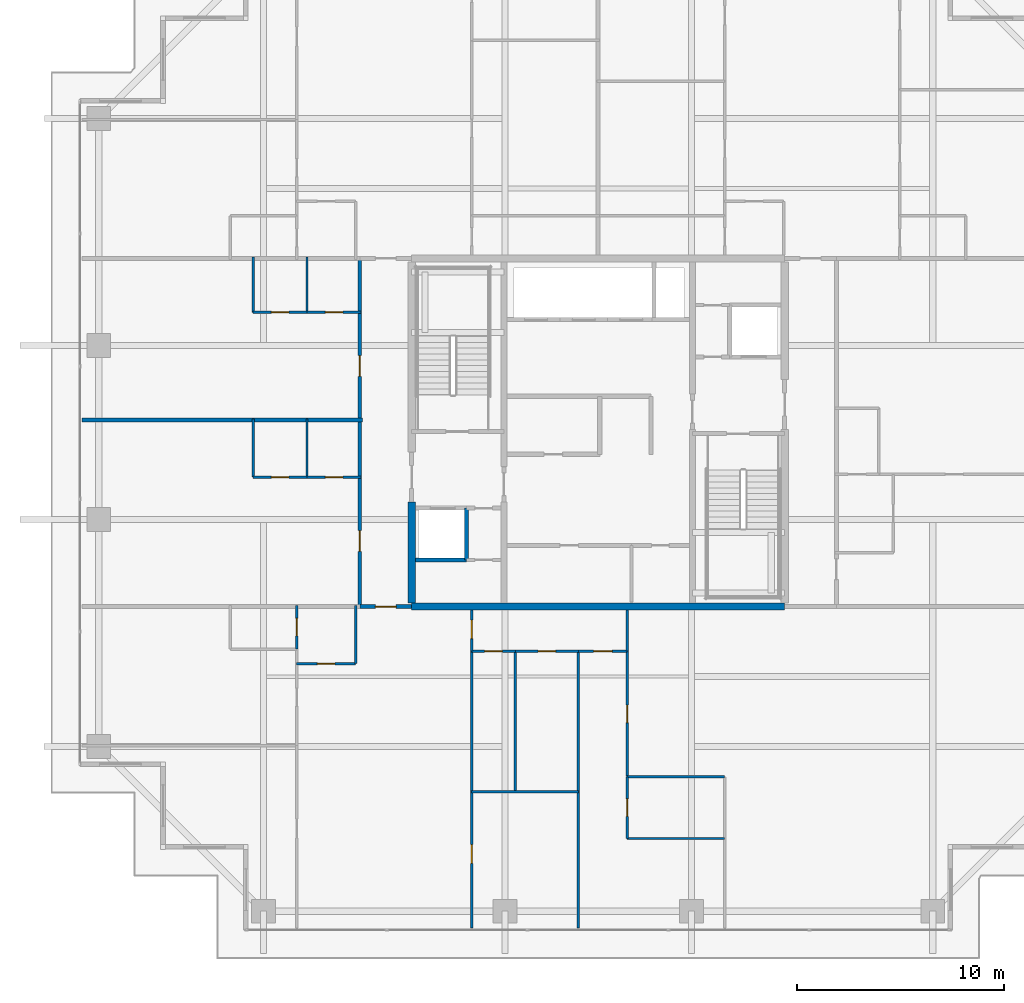
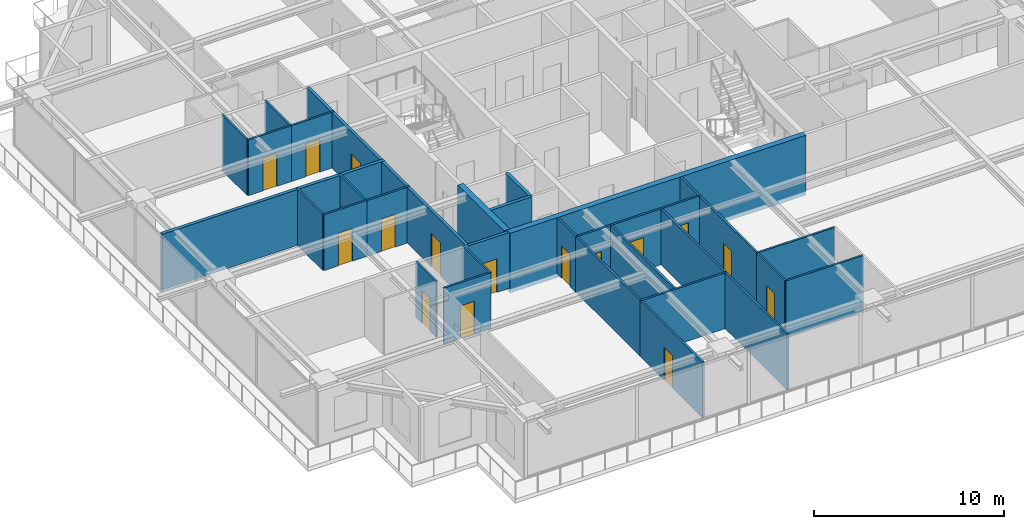
# One storey, part 26 of 37: 32 walls, 16 doors, 16 openings.
"""IFC4 building model written with IfcOpenShell, lengths in metres."""

from ifc_helpers import new_model, si_unit, direction, frame, frame_2d, origin, place, context, subcontext, project, spatial, rectangle, extrude, source, transform, mapped, material, layer, layer_set, type_object, element, fill, save


model = new_model("IFC4")

# Units and contexts
model_context = context("Model", 3, precision=1e-05, world=origin(), true_north=direction((0.0, 1.0)))
body_context = subcontext(model_context, "Body", "Model", "MODEL_VIEW")
ifc_project = project(units=[si_unit("LENGTHUNIT", "METRE"), si_unit("AREAUNIT", "SQUARE_METRE"), si_unit("VOLUMEUNIT", "CUBIC_METRE"), si_unit("PLANEANGLEUNIT", "RADIAN"), si_unit("MASSUNIT", "GRAM", prefix="KILO")], contexts=[model_context])

# Site, building, storey
site_placement = place(None, origin())
site = spatial("IfcSite", under=ifc_project, at=site_placement, CompositionType="ELEMENT")
building_placement = place(site_placement, origin())
building = spatial("IfcBuilding", under=site, at=building_placement, Name="Serunith Strait Residences", CompositionType="ELEMENT")
storey_placement = place(building_placement, frame((0.0, 0.0, 233.550048828125)))
storey = spatial("IfcBuildingStorey", under=building, at=storey_placement, Name="L58", CompositionType="ELEMENT", Elevation=233.550048828125)

# Wall, opening, door
ifc_material_1 = material(Name="Fire-rated acoustic gypsum partition")
ifc_layer_1 = layer(ifc_material_1, 0.179931640625, Name="Fire-rated acoustic gypsum partition")
ifc_layer_set_1 = layer_set([ifc_layer_1], Name="Fire-rated acoustic gypsum partition")
wall_type_1 = type_object("IfcWallType", Name="IW-CORR-180", PredefinedType="PARTITIONING", material=ifc_layer_set_1)
wall_1_placement = place(storey_placement, frame((20.902099609375, 16.800048828125, 0.0), z_axis=(0.0, 0.0, 1.0), x_axis=(1.0, 0.0, 0.0)))
wall_1 = element("IfcWall", 1, at=wall_1_placement, inside=storey, type_object=wall_type_1, Name="L58 Partition Wall 026", PredefinedType="PARTITIONING", context=body_context, shape_type="SweptSolid", body=[
    extrude(rectangle(XDim=2.495849609375, YDim=0.179931640625, at=frame_2d((1.248046875, 0.0))), origin(), (0.0, 0.0, 1.0), 3.58984375),
])
opening_1_placement = place(wall_1_placement, frame((0.748046875, 0.0, 0.0)))
opening_1 = element("IfcOpeningElement", 2, at=opening_1_placement, cuts=wall_1, Name="Opening D-APT1000", PredefinedType="OPENING", context=body_context, shape_type="SweptSolid", body=[
    extrude(rectangle(XDim=1.0, YDim=2.14990234375, at=frame_2d((0.5, 1.074951171875))), frame((0.0, 0.10009765625, 0.0), z_axis=(0.0, -1.0, 0.0), x_axis=(1.0, 0.0, 0.0)), (0.0, 0.0, 1.0), 0.199951171875),
])
ifc_material_2 = material(Name="Solid timber engineered fire door", Category="wood")
door_type_1 = type_object("IfcDoorType", Name="ID-APT-1000", OperationType="NOTDEFINED", PredefinedType="DOOR", material=ifc_material_2)
shared_shape_1 = source(origin(), body_context, "Body", "SweptSolid", [
    extrude(rectangle(XDim=1.0, YDim=2.14990234375, at=frame_2d((0.5, 1.074951171875))), frame((0.0, 0.02490234375, 0.0), z_axis=(0.0, -1.0, 0.0), x_axis=(1.0, 0.0, 0.0)), (0.0, 0.0, 1.0), 0.050048828125),
])
door_1_placement = place(opening_1_placement, origin())
door_1 = element("IfcDoor", 3, at=door_1_placement, inside=storey, type_object=door_type_1, Name="L58 Unit 01 Entrance Door", OperationType="SINGLE_SWING_RIGHT", OverallHeight=2.14990234375, OverallWidth=1.0, PredefinedType="DOOR", context=body_context, shape_type="MappedRepresentation", body=[
    mapped(shared_shape_1, transform((0.0, 0.0, 0.0), scale=1.0)),
])
fill(opening_1, door_1)

# Wall, openings, doors
wall_2_placement = place(storey_placement, frame((20.89990234375, 16.800048828125, 0.0), z_axis=(0.0, 0.0, 1.0), x_axis=(0.0, 1.0, 0.0)))
wall_2 = element("IfcWall", 4, at=wall_2_placement, inside=storey, type_object=wall_type_1, Name="L58 Partition Wall 028", PredefinedType="PARTITIONING", context=body_context, shape_type="SweptSolid", body=[
    extrude(rectangle(XDim=16.800048828125, YDim=0.179931640625, at=frame_2d((8.39990234375, 0.0))), origin(), (0.0, 0.0, 1.0), 3.58984375),
])
opening_2_placement = place(wall_2_placement, frame((2.669921875, 0.0, 0.0)))
opening_2 = element("IfcOpeningElement", 5, at=opening_2_placement, cuts=wall_2, Name="Opening D-APT1000", PredefinedType="OPENING", context=body_context, shape_type="SweptSolid", body=[
    extrude(rectangle(XDim=1.0, YDim=2.14990234375, at=frame_2d((0.5, 1.074951171875))), frame((0.0, 0.10009765625, 0.0), z_axis=(0.0, -1.0, 0.0), x_axis=(1.0, 0.0, 0.0)), (0.0, 0.0, 1.0), 0.199951171875),
])
opening_3_placement = place(wall_2_placement, frame((11.10693359375, 0.0, 0.0)))
opening_3 = element("IfcOpeningElement", 6, at=opening_3_placement, cuts=wall_2, Name="Opening D-APT1000", PredefinedType="OPENING", context=body_context, shape_type="SweptSolid", body=[
    extrude(rectangle(XDim=1.0, YDim=2.14990234375, at=frame_2d((0.5, 1.074951171875))), frame((0.0, 0.10009765625, 0.0), z_axis=(0.0, -1.0, 0.0), x_axis=(1.0, 0.0, 0.0)), (0.0, 0.0, 1.0), 0.199951171875),
])
door_2_placement = place(opening_2_placement, origin())
door_2 = element("IfcDoor", 7, at=door_2_placement, inside=storey, type_object=door_type_1, Name="L58 Unit 04 Entrance Door", OperationType="SINGLE_SWING_RIGHT", OverallHeight=2.14990234375, OverallWidth=1.0, PredefinedType="DOOR", context=body_context, shape_type="MappedRepresentation", body=[
    mapped(shared_shape_1, transform((0.0, 0.0, 0.0), scale=1.0)),
])
fill(opening_2, door_2)
door_3_placement = place(opening_3_placement, origin())
door_3 = element("IfcDoor", 8, at=door_3_placement, inside=storey, type_object=door_type_1, Name="L58 Unit 05 Entrance Door", OperationType="SINGLE_SWING_LEFT", OverallHeight=2.14990234375, OverallWidth=1.0, PredefinedType="DOOR", context=body_context, shape_type="MappedRepresentation", body=[
    mapped(shared_shape_1, transform((0.0, 0.0, 0.0), scale=1.0)),
])
fill(opening_3, door_3)

# Wall, opening, door
ifc_material_3 = material(Name="Lightweight steel-stud gypsum partition", Category="steel")
ifc_layer_2 = layer(ifc_material_3, 0.1201171875, Name="Lightweight steel-stud gypsum partition")
ifc_layer_set_2 = layer_set([ifc_layer_2], Name="Lightweight steel-stud gypsum partition")
wall_type_2 = type_object("IfcWallType", Name="IW-PART-120", PredefinedType="PARTITIONING", material=ifc_layer_set_2)
wall_3_placement = place(storey_placement, frame((17.85009765625, 14.050048828125, 0.0), z_axis=(0.0, 0.0, 1.0), x_axis=(1.0, 0.0, 0.0)))
wall_3 = element("IfcWall", 9, at=wall_3_placement, inside=storey, type_object=wall_type_2, Name="L58 Partition Wall 032", PredefinedType="PARTITIONING", context=body_context, shape_type="SweptSolid", body=[
    extrude(rectangle(XDim=2.849853515625, YDim=0.1201171875, at=frame_2d((1.4248046875, 0.0))), origin(), (0.0, 0.0, 1.0), 3.58984375),
])
opening_4_placement = place(wall_3_placement, frame((1.0, 0.0, 0.0)))
opening_4 = element("IfcOpeningElement", 10, at=opening_4_placement, cuts=wall_3, Name="Opening D-RM850", PredefinedType="OPENING", context=body_context, shape_type="SweptSolid", body=[
    extrude(rectangle(XDim=0.85009765625, YDim=2.10009765625, at=frame_2d((0.425048828125, 1.050048828125))), frame((0.0, 0.070068359375, 0.0), z_axis=(0.0, -1.0, 0.0), x_axis=(1.0, 0.0, 0.0)), (0.0, 0.0, 1.0), 0.14013671875),
])
ifc_material_4 = material(Name="Engineered timber flush study and kitchen door", Category="wood")
door_type_2 = type_object("IfcDoorType", Name="ID-ROOM-850", OperationType="NOTDEFINED", PredefinedType="DOOR", material=ifc_material_4)
shared_shape_2 = source(origin(), body_context, "Body", "SweptSolid", [
    extrude(rectangle(XDim=0.85009765625, YDim=2.10009765625, at=frame_2d((0.425048828125, 1.050048828125))), frame((0.0, 0.02490234375, 0.0), z_axis=(0.0, -1.0, 0.0), x_axis=(1.0, 0.0, 0.0)), (0.0, 0.0, 1.0), 0.050048828125),
])
door_4_placement = place(opening_4_placement, origin())
door_4 = element("IfcDoor", 11, at=door_4_placement, inside=storey, type_object=door_type_2, Name="L58 Kitchen 5801 Door", OperationType="SINGLE_SWING_RIGHT", OverallHeight=2.10009765625, OverallWidth=0.85009765625, PredefinedType="DOOR", context=body_context, shape_type="MappedRepresentation", body=[
    mapped(shared_shape_2, transform((0.0, 0.0, 0.0), scale=1.0)),
])
fill(opening_4, door_4)

# Wall
wall_4_placement = place(storey_placement, frame((20.699951171875, 14.050048828125, 0.0), z_axis=(0.0, 0.0, 1.0), x_axis=(0.0, 1.0, 0.0)))
element("IfcWall", 12, at=wall_4_placement, inside=storey, type_object=wall_type_2, Name="L58 Partition Wall 033", PredefinedType="PARTITIONING", context=body_context, shape_type="SweptSolid", body=[
    extrude(rectangle(XDim=2.81005859375, YDim=0.1201171875, at=frame_2d((1.405029296875, 0.0))), origin(), (0.0, 0.0, 1.0), 3.58984375),
])

# Wall, opening, door
wall_5_placement = place(storey_placement, frame((17.85009765625, 14.751953125, 0.0), z_axis=(0.0, 0.0, 1.0), x_axis=(0.0, 1.0, 0.0)))
wall_5 = element("IfcWall", 13, at=wall_5_placement, inside=storey, type_object=wall_type_2, Name="L58 Partition Wall 039", PredefinedType="PARTITIONING", context=body_context, shape_type="SweptSolid", body=[
    extrude(rectangle(XDim=2.108154296875, YDim=0.1201171875, at=frame_2d((1.05419921875, 0.0))), origin(), (0.0, 0.0, 1.0), 3.58984375),
])
opening_5_placement = place(wall_5_placement, frame((0.62890625, 0.0, 0.0)))
opening_5 = element("IfcOpeningElement", 14, at=opening_5_placement, cuts=wall_5, Name="Opening D-BTH850", PredefinedType="OPENING", context=body_context, shape_type="SweptSolid", body=[
    extrude(rectangle(XDim=0.85009765625, YDim=2.10009765625, at=frame_2d((0.425048828125, 1.050048828125))), frame((0.0, 0.070068359375, 0.0), z_axis=(0.0, -1.0, 0.0), x_axis=(1.0, 0.0, 0.0)), (0.0, 0.0, 1.0), 0.14013671875),
])
ifc_material_5 = material(Name="Moisture-resistant timber bathroom door", Category="wood")
door_type_3 = type_object("IfcDoorType", Name="ID-BATH-850", OperationType="NOTDEFINED", PredefinedType="DOOR", material=ifc_material_5)
door_5_placement = place(opening_5_placement, origin())
door_5 = element("IfcDoor", 15, at=door_5_placement, inside=storey, type_object=door_type_3, Name="L58 Bathroom 5801 Door", OperationType="SINGLE_SWING_LEFT", OverallHeight=2.10009765625, OverallWidth=0.85009765625, PredefinedType="DOOR", context=body_context, shape_type="MappedRepresentation", body=[
    mapped(shared_shape_2, transform((0.0, 0.0, 0.0), scale=1.0)),
])
fill(opening_5, door_5)

wall_6_placement = place(storey_placement, frame((26.300048828125, 14.64990234375, 0.0), z_axis=(0.0, 0.0, 1.0), x_axis=(0.0, 1.0, 0.0)))
wall_6 = element("IfcWall", 16, at=wall_6_placement, inside=storey, type_object=wall_type_2, Name="L58 Partition Wall 040", PredefinedType="PARTITIONING", context=body_context, shape_type="SweptSolid", body=[
    extrude(rectangle(XDim=1.97509765625, YDim=0.1201171875, at=frame_2d((0.987548828125, 0.0))), origin(), (0.0, 0.0, 1.0), 3.58984375),
])
opening_6_placement = place(wall_6_placement, frame((0.60107421875, 0.0, 0.0)))
opening_6 = element("IfcOpeningElement", 17, at=opening_6_placement, cuts=wall_6, Name="Opening D-RM900", PredefinedType="OPENING", context=body_context, shape_type="SweptSolid", body=[
    extrude(rectangle(XDim=0.89990234375, YDim=2.10009765625, at=frame_2d((0.449951171875, 1.050048828125))), frame((0.0, 0.070068359375, 0.0), z_axis=(0.0, -1.0, 0.0), x_axis=(1.0, 0.0, 0.0)), (0.0, 0.0, 1.0), 0.14013671875),
])
ifc_material_6 = material(Name="Engineered timber flush bedroom door", Category="wood")
door_type_4 = type_object("IfcDoorType", Name="ID-ROOM-900", OperationType="NOTDEFINED", PredefinedType="DOOR", material=ifc_material_6)
shared_shape_3 = source(origin(), body_context, "Body", "SweptSolid", [
    extrude(rectangle(XDim=0.89990234375, YDim=2.10009765625, at=frame_2d((0.449951171875, 1.050048828125))), frame((0.0, 0.02490234375, 0.0), z_axis=(0.0, -1.0, 0.0), x_axis=(1.0, 0.0, 0.0)), (0.0, 0.0, 1.0), 0.050048828125),
])
door_6_placement = place(opening_6_placement, origin())
door_6 = element("IfcDoor", 18, at=door_6_placement, inside=storey, type_object=door_type_4, Name="L58 Hall E 5801 Door", OperationType="SINGLE_SWING_RIGHT", OverallHeight=2.10009765625, OverallWidth=0.89990234375, PredefinedType="DOOR", context=body_context, shape_type="MappedRepresentation", body=[
    mapped(shared_shape_3, transform((0.0, 0.0, 0.0), scale=1.0)),
])
fill(opening_6, door_6)

wall_7_placement = place(storey_placement, frame((26.300048828125, 1.294921875, 0.0), z_axis=(0.0, 0.0, 1.0), x_axis=(0.0, 1.0, 0.0)))
wall_7 = element("IfcWall", 19, at=wall_7_placement, inside=storey, type_object=wall_type_2, Name="L58 Partition Wall 041", PredefinedType="PARTITIONING", context=body_context, shape_type="SweptSolid", body=[
    extrude(rectangle(XDim=6.565185546875, YDim=0.1201171875, at=frame_2d((3.28271484375, 0.0))), origin(), (0.0, 0.0, 1.0), 3.58984375),
])
opening_7_placement = place(wall_7_placement, frame((3.115966796875, 0.0, 0.0)))
opening_7 = element("IfcOpeningElement", 20, at=opening_7_placement, cuts=wall_7, Name="Opening D-RM900", PredefinedType="OPENING", context=body_context, shape_type="SweptSolid", body=[
    extrude(rectangle(XDim=0.89990234375, YDim=2.10009765625, at=frame_2d((0.449951171875, 1.050048828125))), frame((0.0, 0.070068359375, 0.0), z_axis=(0.0, -1.0, 0.0), x_axis=(1.0, 0.0, 0.0)), (0.0, 0.0, 1.0), 0.14013671875),
])
door_7_placement = place(opening_7_placement, origin())
door_7 = element("IfcDoor", 21, at=door_7_placement, inside=storey, type_object=door_type_4, Name="L58 Formal Dining Room 2 5801 Door", OperationType="SINGLE_SWING_LEFT", OverallHeight=2.10009765625, OverallWidth=0.89990234375, PredefinedType="DOOR", context=body_context, shape_type="MappedRepresentation", body=[
    mapped(shared_shape_3, transform((0.0, 0.0, 0.0), scale=1.0)),
])
fill(opening_7, door_7)

# Walls
wall_8_placement = place(storey_placement, frame((26.300048828125, 7.862060546875, 0.0), z_axis=(0.0, 0.0, 1.0), x_axis=(0.0, 1.0, 0.0)))
element("IfcWall", 22, at=wall_8_placement, inside=storey, type_object=wall_type_2, Name="L58 Partition Wall 042", PredefinedType="PARTITIONING", context=body_context, shape_type="SweptSolid", body=[
    extrude(rectangle(XDim=6.785888671875, YDim=0.1201171875, at=frame_2d((3.39306640625, 0.0))), origin(), (0.0, 0.0, 1.0), 3.58984375),
])
wall_9_placement = place(storey_placement, frame((26.300048828125, 7.860107421875, 0.0), z_axis=(0.0, 0.0, 1.0), x_axis=(1.0, 0.0, 0.0)))
element("IfcWall", 23, at=wall_9_placement, inside=storey, type_object=wall_type_2, Name="L58 Partition Wall 043", PredefinedType="PARTITIONING", context=body_context, shape_type="SweptSolid", body=[
    extrude(rectangle(XDim=5.14990234375, YDim=0.1201171875, at=frame_2d((2.574951171875, 0.0))), origin(), (0.0, 0.0, 1.0), 3.58984375),
])
wall_10_placement = place(storey_placement, frame((31.449951171875, 1.294921875, 0.0), z_axis=(0.0, 0.0, 1.0), x_axis=(0.0, 1.0, 0.0)))
element("IfcWall", 24, at=wall_10_placement, inside=storey, type_object=wall_type_2, Name="L58 Partition Wall 044", PredefinedType="PARTITIONING", context=body_context, shape_type="SweptSolid", body=[
    extrude(rectangle(XDim=13.35498046875, YDim=0.1201171875, at=frame_2d((6.677490234375, 0.0))), origin(), (0.0, 0.0, 1.0), 3.58984375),
])
wall_11_placement = place(storey_placement, frame((28.39990234375, 7.860107421875, 0.0), z_axis=(0.0, 0.0, 1.0), x_axis=(0.0, 1.0, 0.0)))
element("IfcWall", 25, at=wall_11_placement, inside=storey, type_object=wall_type_2, Name="L58 Partition Wall 045", PredefinedType="PARTITIONING", context=body_context, shape_type="SweptSolid", body=[
    extrude(rectangle(XDim=6.789794921875, YDim=0.1201171875, at=frame_2d((3.39501953125, 0.0))), origin(), (0.0, 0.0, 1.0), 3.58984375),
])

# Wall, opening, door
wall_12_placement = place(storey_placement, frame((26.300048828125, 14.64990234375, 0.0), z_axis=(0.0, 0.0, 1.0), x_axis=(1.0, 0.0, 0.0)))
wall_12 = element("IfcWall", 26, at=wall_12_placement, inside=storey, type_object=wall_type_2, Name="L58 Partition Wall 046", PredefinedType="PARTITIONING", context=body_context, shape_type="SweptSolid", body=[
    extrude(rectangle(XDim=2.099853515625, YDim=0.1201171875, at=frame_2d((1.0498046875, 0.0))), origin(), (0.0, 0.0, 1.0), 3.58984375),
])
opening_8_placement = place(wall_12_placement, frame((0.625, 0.0, 0.0)))
opening_8 = element("IfcOpeningElement", 27, at=opening_8_placement, cuts=wall_12, Name="Opening D-RM850", PredefinedType="OPENING", context=body_context, shape_type="SweptSolid", body=[
    extrude(rectangle(XDim=0.85009765625, YDim=2.10009765625, at=frame_2d((0.425048828125, 1.050048828125))), frame((0.0, 0.070068359375, 0.0), z_axis=(0.0, -1.0, 0.0), x_axis=(1.0, 0.0, 0.0)), (0.0, 0.0, 1.0), 0.14013671875),
])
door_8_placement = place(opening_8_placement, origin())
door_8 = element("IfcDoor", 28, at=door_8_placement, inside=storey, type_object=door_type_2, Name="L58 Study 5801 Door", OperationType="SINGLE_SWING_RIGHT", OverallHeight=2.10009765625, OverallWidth=0.85009765625, PredefinedType="DOOR", context=body_context, shape_type="MappedRepresentation", body=[
    mapped(shared_shape_2, transform((0.0, 0.0, 0.0), scale=1.0)),
])
fill(opening_8, door_8)

wall_13_placement = place(storey_placement, frame((28.402099609375, 14.64990234375, 0.0), z_axis=(0.0, 0.0, 1.0), x_axis=(1.0, 0.0, 0.0)))
wall_13 = element("IfcWall", 29, at=wall_13_placement, inside=storey, type_object=wall_type_2, Name="L58 Partition Wall 047", PredefinedType="PARTITIONING", context=body_context, shape_type="SweptSolid", body=[
    extrude(rectangle(XDim=3.0478515625, YDim=0.1201171875, at=frame_2d((1.52392578125, 0.0))), origin(), (0.0, 0.0, 1.0), 3.58984375),
])
opening_9_placement = place(wall_13_placement, frame((1.09912109375, 0.0, 0.0)))
opening_9 = element("IfcOpeningElement", 30, at=opening_9_placement, cuts=wall_13, Name="Opening D-RM850", PredefinedType="OPENING", context=body_context, shape_type="SweptSolid", body=[
    extrude(rectangle(XDim=0.85009765625, YDim=2.10009765625, at=frame_2d((0.425048828125, 1.050048828125))), frame((0.0, 0.070068359375, 0.0), z_axis=(0.0, -1.0, 0.0), x_axis=(1.0, 0.0, 0.0)), (0.0, 0.0, 1.0), 0.14013671875),
])
door_9_placement = place(opening_9_placement, origin())
door_9 = element("IfcDoor", 31, at=door_9_placement, inside=storey, type_object=door_type_2, Name="L58 Formal Dining Room 5801 Door", OperationType="SINGLE_SWING_LEFT", OverallHeight=2.10009765625, OverallWidth=0.85009765625, PredefinedType="DOOR", context=body_context, shape_type="MappedRepresentation", body=[
    mapped(shared_shape_2, transform((0.0, 0.0, 0.0), scale=1.0)),
])
fill(opening_9, door_9)

wall_14_placement = place(storey_placement, frame((31.451904296875, 14.64990234375, 0.0), z_axis=(0.0, 0.0, 1.0), x_axis=(1.0, 0.0, 0.0)))
wall_14 = element("IfcWall", 32, at=wall_14_placement, inside=storey, type_object=wall_type_2, Name="L58 Partition Wall 048", PredefinedType="PARTITIONING", context=body_context, shape_type="SweptSolid", body=[
    extrude(rectangle(XDim=2.34814453125, YDim=0.1201171875, at=frame_2d((1.174072265625, 0.0))), origin(), (0.0, 0.0, 1.0), 3.58984375),
])
opening_10_placement = place(wall_14_placement, frame((0.72412109375, 0.0, 0.0)))
opening_10 = element("IfcOpeningElement", 33, at=opening_10_placement, cuts=wall_14, Name="Opening D-RM900", PredefinedType="OPENING", context=body_context, shape_type="SweptSolid", body=[
    extrude(rectangle(XDim=0.89990234375, YDim=2.10009765625, at=frame_2d((0.449951171875, 1.050048828125))), frame((0.0, 0.070068359375, 0.0), z_axis=(0.0, -1.0, 0.0), x_axis=(1.0, 0.0, 0.0)), (0.0, 0.0, 1.0), 0.14013671875),
])
door_10_placement = place(opening_10_placement, origin())
door_10 = element("IfcDoor", 34, at=door_10_placement, inside=storey, type_object=door_type_4, Name="L58 Master Bedroom E 5801 Door", OperationType="SINGLE_SWING_RIGHT", OverallHeight=2.10009765625, OverallWidth=0.89990234375, PredefinedType="DOOR", context=body_context, shape_type="MappedRepresentation", body=[
    mapped(shared_shape_3, transform((0.0, 0.0, 0.0), scale=1.0)),
])
fill(opening_10, door_10)

# Walls
for number, where, z_axis, x_axis, name in (
    (35, (33.800048828125, 5.60888671875, 0.0), (0.0, 0.0, 1.0), (1.0, 0.0, 0.0), "L58 Partition Wall 049"),
    (36, (33.800048828125, 8.587890625, 0.0), (0.0, 0.0, 1.0), (1.0, 0.0, 0.0), "L58 Partition Wall 051"),
):
    element("IfcWall", number, at=place(storey_placement, frame(where, z_axis=z_axis, x_axis=x_axis)), inside=storey, type_object=wall_type_2, Name=name, PredefinedType="PARTITIONING", context=body_context, shape_type="SweptSolid", body=[
        extrude(rectangle(XDim=4.699951171875, YDim=0.1201171875, at=frame_2d((2.35009765625, 0.0))), origin(), (0.0, 0.0, 1.0), 3.58984375),
    ])

# Wall, opening, door
wall_15_placement = place(storey_placement, frame((33.800048828125, 5.60888671875, 0.0), z_axis=(0.0, 0.0, 1.0), x_axis=(0.0, 1.0, 0.0)))
wall_15 = element("IfcWall", 37, at=wall_15_placement, inside=storey, type_object=wall_type_2, Name="L58 Partition Wall 052", PredefinedType="PARTITIONING", context=body_context, shape_type="SweptSolid", body=[
    extrude(rectangle(XDim=2.97900390625, YDim=0.1201171875, at=frame_2d((1.489501953125, 0.0))), origin(), (0.0, 0.0, 1.0), 3.58984375),
])
opening_11_placement = place(wall_15_placement, frame((1.06396484375, 0.0, 0.0)))
opening_11 = element("IfcOpeningElement", 38, at=opening_11_placement, cuts=wall_15, Name="Opening D-BTH850", PredefinedType="OPENING", context=body_context, shape_type="SweptSolid", body=[
    extrude(rectangle(XDim=0.85009765625, YDim=2.10009765625, at=frame_2d((0.425048828125, 1.050048828125))), frame((0.0, 0.070068359375, 0.0), z_axis=(0.0, -1.0, 0.0), x_axis=(1.0, 0.0, 0.0)), (0.0, 0.0, 1.0), 0.14013671875),
])
door_11_placement = place(opening_11_placement, origin())
door_11 = element("IfcDoor", 39, at=door_11_placement, inside=storey, type_object=door_type_3, Name="L58 En-suite Bathroom E 5801 Door", OperationType="SINGLE_SWING_LEFT", OverallHeight=2.10009765625, OverallWidth=0.85009765625, PredefinedType="DOOR", context=body_context, shape_type="MappedRepresentation", body=[
    mapped(shared_shape_2, transform((0.0, 0.0, 0.0), scale=1.0)),
])
fill(opening_11, door_11)

wall_16_placement = place(storey_placement, frame((33.800048828125, 8.590087890625, 0.0), z_axis=(0.0, 0.0, 1.0), x_axis=(0.0, 1.0, 0.0)))
wall_16 = element("IfcWall", 40, at=wall_16_placement, inside=storey, type_object=wall_type_2, Name="L58 Partition Wall 053", PredefinedType="PARTITIONING", context=body_context, shape_type="SweptSolid", body=[
    extrude(rectangle(XDim=6.059814453125, YDim=0.1201171875, at=frame_2d((3.02978515625, 0.0))), origin(), (0.0, 0.0, 1.0), 3.58984375),
])
opening_12_placement = place(wall_16_placement, frame((2.60498046875, 0.0, 0.0)))
opening_12 = element("IfcOpeningElement", 41, at=opening_12_placement, cuts=wall_16, Name="Opening D-RM850", PredefinedType="OPENING", context=body_context, shape_type="SweptSolid", body=[
    extrude(rectangle(XDim=0.85009765625, YDim=2.10009765625, at=frame_2d((0.425048828125, 1.050048828125))), frame((0.0, 0.070068359375, 0.0), z_axis=(0.0, -1.0, 0.0), x_axis=(1.0, 0.0, 0.0)), (0.0, 0.0, 1.0), 0.14013671875),
])
door_12_placement = place(opening_12_placement, origin())
door_12 = element("IfcDoor", 42, at=door_12_placement, inside=storey, type_object=door_type_2, Name="L58 Wardrobe E 5801 Door", OperationType="SINGLE_SWING_RIGHT", OverallHeight=2.10009765625, OverallWidth=0.85009765625, PredefinedType="DOOR", context=body_context, shape_type="MappedRepresentation", body=[
    mapped(shared_shape_2, transform((0.0, 0.0, 0.0), scale=1.0)),
])
fill(opening_12, door_12)

# Wall
wall_17_placement = place(storey_placement, frame((33.800048828125, 14.652099609375, 0.0), z_axis=(0.0, 0.0, 1.0), x_axis=(0.0, 1.0, 0.0)))
element("IfcWall", 43, at=wall_17_placement, inside=storey, type_object=wall_type_2, Name="L58 Partition Wall 054", PredefinedType="PARTITIONING", context=body_context, shape_type="SweptSolid", body=[
    extrude(rectangle(XDim=1.972900390625, YDim=0.1201171875, at=frame_2d((0.986328125, 0.0))), origin(), (0.0, 0.0, 1.0), 3.58984375),
])

# Wall, opening, door
wall_18_placement = place(storey_placement, frame((15.75, 23.050048828125, 0.0), z_axis=(0.0, 0.0, 1.0), x_axis=(1.0, 0.0, 0.0)))
wall_18 = element("IfcWall", 44, at=wall_18_placement, inside=storey, type_object=wall_type_2, Name="L58 Partition Wall 081", PredefinedType="PARTITIONING", context=body_context, shape_type="SweptSolid", body=[
    extrude(rectangle(XDim=2.60009765625, YDim=0.1201171875, at=frame_2d((1.300048828125, 0.0))), origin(), (0.0, 0.0, 1.0), 3.58984375),
])
opening_13_placement = place(wall_18_placement, frame((0.875, 0.0, 0.0)))
opening_13 = element("IfcOpeningElement", 45, at=opening_13_placement, cuts=wall_18, Name="Opening D-RM850", PredefinedType="OPENING", context=body_context, shape_type="SweptSolid", body=[
    extrude(rectangle(XDim=0.85009765625, YDim=2.10009765625, at=frame_2d((0.425048828125, 1.050048828125))), frame((0.0, 0.070068359375, 0.0), z_axis=(0.0, -1.0, 0.0), x_axis=(1.0, 0.0, 0.0)), (0.0, 0.0, 1.0), 0.14013671875),
])
door_13_placement = place(opening_13_placement, origin())
door_13 = element("IfcDoor", 46, at=door_13_placement, inside=storey, type_object=door_type_2, Name="L58 Kitchen 5804 Door", OperationType="SINGLE_SWING_LEFT", OverallHeight=2.10009765625, OverallWidth=0.85009765625, PredefinedType="DOOR", context=body_context, shape_type="MappedRepresentation", body=[
    mapped(shared_shape_2, transform((0.0, 0.0, 0.0), scale=1.0)),
])
fill(opening_13, door_13)

wall_19_placement = place(storey_placement, frame((18.35205078125, 23.050048828125, 0.0), z_axis=(0.0, 0.0, 1.0), x_axis=(1.0, 0.0, 0.0)))
wall_19 = element("IfcWall", 47, at=wall_19_placement, inside=storey, type_object=wall_type_2, Name="L58 Partition Wall 082", PredefinedType="PARTITIONING", context=body_context, shape_type="SweptSolid", body=[
    extrude(rectangle(XDim=2.60791015625, YDim=0.1201171875, at=frame_2d((1.303955078125, 0.0))), origin(), (0.0, 0.0, 1.0), 3.58984375),
])
opening_14_placement = place(wall_19_placement, frame((0.87890625, 0.0, 0.0)))
opening_14 = element("IfcOpeningElement", 48, at=opening_14_placement, cuts=wall_19, Name="Opening D-BTH850", PredefinedType="OPENING", context=body_context, shape_type="SweptSolid", body=[
    extrude(rectangle(XDim=0.85009765625, YDim=2.10009765625, at=frame_2d((0.425048828125, 1.050048828125))), frame((0.0, 0.070068359375, 0.0), z_axis=(0.0, -1.0, 0.0), x_axis=(1.0, 0.0, 0.0)), (0.0, 0.0, 1.0), 0.14013671875),
])
door_14_placement = place(opening_14_placement, origin())
door_14 = element("IfcDoor", 49, at=door_14_placement, inside=storey, type_object=door_type_3, Name="L58 Bathroom 5804 Door", OperationType="SINGLE_SWING_RIGHT", OverallHeight=2.10009765625, OverallWidth=0.85009765625, PredefinedType="DOOR", context=body_context, shape_type="MappedRepresentation", body=[
    mapped(shared_shape_2, transform((0.0, 0.0, 0.0), scale=1.0)),
])
fill(opening_14, door_14)

# Walls
for number, where, z_axis, x_axis, name in (
    (50, (18.35009765625, 23.050048828125, 0.0), (0.0, 0.0, 1.0), (0.0, 1.0, 0.0), "L58 Partition Wall 083"),
    (51, (15.75, 23.050048828125, 0.0), (0.0, 0.0, 1.0), (0.0, 1.0, 0.0), "L58 Partition Wall 084"),
):
    element("IfcWall", number, at=place(storey_placement, frame(where, z_axis=z_axis, x_axis=x_axis)), inside=storey, type_object=wall_type_2, Name=name, PredefinedType="PARTITIONING", context=body_context, shape_type="SweptSolid", body=[
        extrude(rectangle(XDim=2.81005859375, YDim=0.1201171875, at=frame_2d((1.405029296875, 0.0))), origin(), (0.0, 0.0, 1.0), 3.58984375),
    ])

# Wall, opening, door
wall_20_placement = place(storey_placement, frame((15.75, 31.0, 0.0), z_axis=(0.0, 0.0, 1.0), x_axis=(1.0, 0.0, 0.0)))
wall_20 = element("IfcWall", 52, at=wall_20_placement, inside=storey, type_object=wall_type_2, Name="L58 Partition Wall 085", PredefinedType="PARTITIONING", context=body_context, shape_type="SweptSolid", body=[
    extrude(rectangle(XDim=2.60009765625, YDim=0.1201171875, at=frame_2d((1.300048828125, 0.0))), origin(), (0.0, 0.0, 1.0), 3.58984375),
])
opening_15_placement = place(wall_20_placement, frame((0.875, 0.0, 0.0)))
opening_15 = element("IfcOpeningElement", 53, at=opening_15_placement, cuts=wall_20, Name="Opening D-RM850", PredefinedType="OPENING", context=body_context, shape_type="SweptSolid", body=[
    extrude(rectangle(XDim=0.85009765625, YDim=2.10009765625, at=frame_2d((0.425048828125, 1.050048828125))), frame((0.0, 0.070068359375, 0.0), z_axis=(0.0, -1.0, 0.0), x_axis=(1.0, 0.0, 0.0)), (0.0, 0.0, 1.0), 0.14013671875),
])
door_15_placement = place(opening_15_placement, origin())
door_15 = element("IfcDoor", 54, at=door_15_placement, inside=storey, type_object=door_type_2, Name="L58 Kitchen 5805 Door", OperationType="SINGLE_SWING_LEFT", OverallHeight=2.10009765625, OverallWidth=0.85009765625, PredefinedType="DOOR", context=body_context, shape_type="MappedRepresentation", body=[
    mapped(shared_shape_2, transform((0.0, 0.0, 0.0), scale=1.0)),
])
fill(opening_15, door_15)

wall_21_placement = place(storey_placement, frame((18.35205078125, 31.0, 0.0), z_axis=(0.0, 0.0, 1.0), x_axis=(1.0, 0.0, 0.0)))
wall_21 = element("IfcWall", 55, at=wall_21_placement, inside=storey, type_object=wall_type_2, Name="L58 Partition Wall 086", PredefinedType="PARTITIONING", context=body_context, shape_type="SweptSolid", body=[
    extrude(rectangle(XDim=2.60791015625, YDim=0.1201171875, at=frame_2d((1.303955078125, 0.0))), origin(), (0.0, 0.0, 1.0), 3.58984375),
])
opening_16_placement = place(wall_21_placement, frame((0.87890625, 0.0, 0.0)))
opening_16 = element("IfcOpeningElement", 56, at=opening_16_placement, cuts=wall_21, Name="Opening D-BTH850", PredefinedType="OPENING", context=body_context, shape_type="SweptSolid", body=[
    extrude(rectangle(XDim=0.85009765625, YDim=2.10009765625, at=frame_2d((0.425048828125, 1.050048828125))), frame((0.0, 0.070068359375, 0.0), z_axis=(0.0, -1.0, 0.0), x_axis=(1.0, 0.0, 0.0)), (0.0, 0.0, 1.0), 0.14013671875),
])
door_16_placement = place(opening_16_placement, origin())
door_16 = element("IfcDoor", 57, at=door_16_placement, inside=storey, type_object=door_type_3, Name="L58 Bathroom 5805 Door", OperationType="SINGLE_SWING_RIGHT", OverallHeight=2.10009765625, OverallWidth=0.85009765625, PredefinedType="DOOR", context=body_context, shape_type="MappedRepresentation", body=[
    mapped(shared_shape_2, transform((0.0, 0.0, 0.0), scale=1.0)),
])
fill(opening_16, door_16)

# Walls
for number, where, z_axis, x_axis, name in (
    (58, (18.35009765625, 31.0, 0.0), (0.0, 0.0, 1.0), (0.0, 1.0, 0.0), "L58 Partition Wall 087"),
    (59, (15.75, 31.0, 0.0), (0.0, 0.0, 1.0), (0.0, 1.0, 0.0), "L58 Partition Wall 088"),
):
    element("IfcWall", number, at=place(storey_placement, frame(where, z_axis=z_axis, x_axis=x_axis)), inside=storey, type_object=wall_type_2, Name=name, PredefinedType="PARTITIONING", context=body_context, shape_type="SweptSolid", body=[
        extrude(rectangle(XDim=2.659912109375, YDim=0.1201171875, at=frame_2d((1.330078125, 0.0))), origin(), (0.0, 0.0, 1.0), 3.58984375),
    ])
ifc_material_7 = material(Name="Twin-stud acoustic gypsum board partition")
ifc_layer_3 = layer(ifc_material_7, 0.199951171875, Name="Twin-stud acoustic gypsum board partition")
ifc_layer_set_3 = layer_set([ifc_layer_3], Name="Twin-stud acoustic gypsum board partition")
wall_type_3 = type_object("IfcWallType", Name="IW-PARTY-200", PredefinedType="PARTITIONING", material=ifc_layer_set_3)
wall_22_placement = place(storey_placement, frame((7.48193359375, 25.800048828125, 0.0), z_axis=(0.0, 0.0, 1.0), x_axis=(1.0, 0.0, 0.0)))
element("IfcWall", 60, at=wall_22_placement, inside=storey, type_object=wall_type_3, Name="L58 Partition Wall 021", PredefinedType="PARTITIONING", context=body_context, shape_type="SweptSolid", body=[
    extrude(rectangle(XDim=13.5380859375, YDim=0.199951171875, at=frame_2d((6.76904296875, 0.0))), origin(), (0.0, 0.0, 1.0), 3.58984375),
])
ifc_material_8 = material(Name="Autoclaved aerated concrete blockwork", Category="masonry")
ifc_layer_4 = layer(ifc_material_8, 0.199951171875, Name="Autoclaved aerated concrete blockwork")
ifc_layer_set_4 = layer_set([ifc_layer_4], Name="Autoclaved aerated concrete blockwork")
wall_type_4 = type_object("IfcWallType", Name="IW-SHAFT-200", PredefinedType="STANDARD", material=ifc_layer_set_4)
wall_23_placement = place(storey_placement, frame((26.050048828125, 19.050048828125, 0.0), z_axis=(0.0, 0.0, 1.0), x_axis=(0.0, 1.0, 0.0)))
element("IfcWall", 61, at=wall_23_placement, inside=storey, type_object=wall_type_4, Name="L58 Partition Wall 001", PredefinedType="STANDARD", context=body_context, shape_type="SweptSolid", body=[
    extrude(rectangle(XDim=2.5, YDim=0.199951171875, at=frame_2d((1.25, 0.0))), origin(), (0.0, 0.0, 1.0), 3.58984375),
])
wall_24_placement = place(storey_placement, frame((23.574951171875, 19.050048828125, 0.0), z_axis=(0.0, 0.0, 1.0), x_axis=(1.0, 0.0, 0.0)))
element("IfcWall", 62, at=wall_24_placement, inside=storey, type_object=wall_type_4, Name="L58 Partition Wall 002", PredefinedType="STANDARD", context=body_context, shape_type="SweptSolid", body=[
    extrude(rectangle(XDim=2.47509765625, YDim=0.199951171875, at=frame_2d((1.237548828125, 0.0))), origin(), (0.0, 0.0, 1.0), 3.58984375),
])
ifc_material_9 = material(Name="Concrete C60/75", Category="concrete")
ifc_layer_5 = layer(ifc_material_9, 0.35009765625, Name="Concrete C60/75")
ifc_layer_set_5 = layer_set([ifc_layer_5], Name="Concrete C60/75")
wall_type_5 = type_object("IfcWallType", Name="SW-350-C60", PredefinedType="SHEAR", material=ifc_layer_set_5)
wall_25_placement = place(storey_placement, frame((23.39990234375, 16.800048828125, -0.260009765625), z_axis=(0.0, 0.0, 1.0), x_axis=(1.0, 0.0, 0.0)))
element("IfcWall", 63, at=wall_25_placement, inside=storey, type_object=wall_type_5, Name="L58 Core South Shear Wall", PredefinedType="SHEAR", context=body_context, shape_type="SweptSolid", body=[
    extrude(rectangle(XDim=18.0, YDim=0.35009765625, at=frame_2d((9.0, 0.0))), origin(), (0.0, 0.0, 1.0), 3.847900390625),
])
wall_26_placement = place(storey_placement, frame((23.39990234375, 16.97509765625, -0.260009765625), z_axis=(0.0, 0.0, 1.0), x_axis=(0.0, 1.0, 0.0)))
element("IfcWall", 64, at=wall_26_placement, inside=storey, type_object=wall_type_5, Name="L58 Core West Shear Wall South Pier", PredefinedType="SHEAR", context=body_context, shape_type="SweptSolid", body=[
    extrude(rectangle(XDim=4.875, YDim=0.35009765625, at=frame_2d((2.4375, 0.0))), origin(), (0.0, 0.0, 1.0), 3.847900390625),
])

save(model, "model.ifc")
